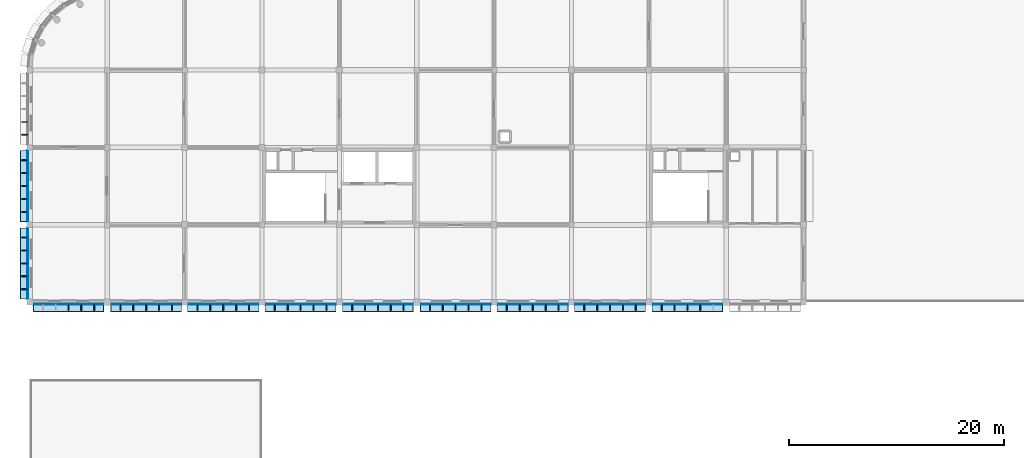
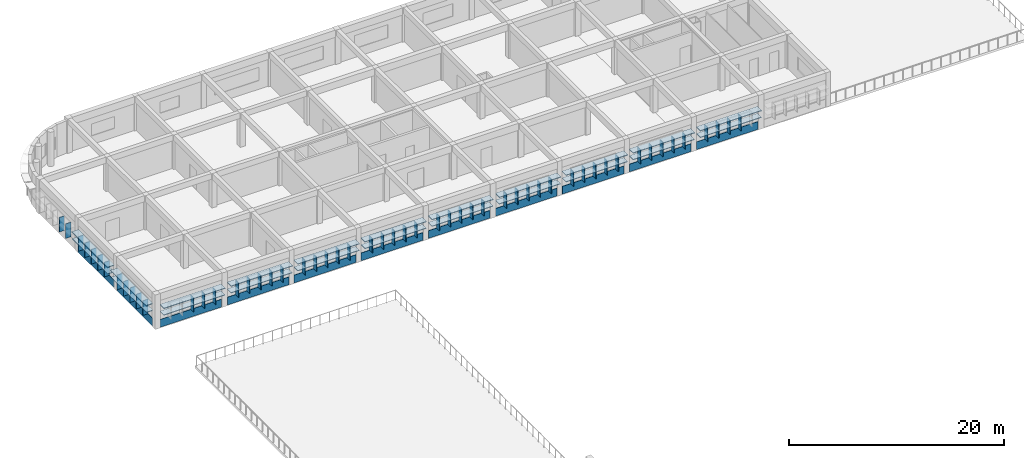
# One storey, part 7 of 22: 87 plates.
"""IFC4 building model written with IfcOpenShell, lengths in metres."""

from ifc_helpers import new_model, si_unit, direction, frame, origin, origin_2d, place, context, subcontext, project, spatial, rectangle, extrude, material, layer, layer_set, type_object, element, save


model = new_model("IFC4")

# Units and contexts
model_context = context("Model", 3, precision=1e-05, world=origin(), true_north=direction((0.0, 1.0)))
body_context = subcontext(model_context, "Body", "Model", "MODEL_VIEW")
ifc_project = project(units=[si_unit("LENGTHUNIT", "METRE"), si_unit("AREAUNIT", "SQUARE_METRE"), si_unit("VOLUMEUNIT", "CUBIC_METRE"), si_unit("PLANEANGLEUNIT", "RADIAN"), si_unit("MASSUNIT", "GRAM", prefix="KILO")], contexts=[model_context])

# Site, building, storey
site_placement = place(None, origin())
site = spatial("IfcSite", under=ifc_project, at=site_placement, CompositionType="ELEMENT")
building_placement = place(site_placement, origin())
building = spatial("IfcBuilding", under=site, at=building_placement, Name="Thalmaran Polytechnic", CompositionType="ELEMENT")
storey_placement = place(building_placement, frame((0.0, 0.0, 22.800048828125)))
storey = spatial("IfcBuildingStorey", under=building, at=storey_placement, Name="L05", CompositionType="ELEMENT", Elevation=22.800048828125)

# Plates
ifc_material_1 = material(Name="Anodised aluminium spandrel band", Category="aluminium")
ifc_layer_1 = layer(ifc_material_1, 0.054931640625, Name="Anodised aluminium spandrel band")
ifc_layer_set_1 = layer_set([ifc_layer_1], Name="Anodised aluminium spandrel band")
plate_type_1 = type_object("IfcPlateType", Name="PT-BD01", PredefinedType="SHEET", material=ifc_layer_set_1)
plate_1_placement = place(storey_placement, frame((-0.195068359375, 97.20751953125, 0.02001953125), z_axis=(0.0, 0.0, 1.0), x_axis=(0.0, 1.0, 0.0)))
element("IfcPlate", 1, at=plate_1_placement, inside=storey, type_object=plate_type_1, Name="Streamline Horizontal Spandrel Band L05-001", PredefinedType="SHEET", context=body_context, shape_type="SweptSolid", body=[
    extrude(rectangle(XDim=6.625, YDim=0.054931640625, at=origin_2d()), origin(), (0.0, 0.0, 1.0), 0.8798828125),
])
plate_2_placement = place(storey_placement, frame((-0.195068359375, 104.405029296875, 0.02001953125), z_axis=(0.0, 0.0, 1.0), x_axis=(0.0, 1.0, 0.0)))
element("IfcPlate", 2, at=plate_2_placement, inside=storey, type_object=plate_type_1, Name="Streamline Horizontal Spandrel Band L05-002", PredefinedType="SHEET", context=body_context, shape_type="SweptSolid", body=[
    extrude(rectangle(XDim=6.64990234375, YDim=0.054931640625, at=origin_2d()), origin(), (0.0, 0.0, 1.0), 0.8798828125),
])
plate_3_placement = place(storey_placement, frame((61.1923828125, 93.405029296875, 0.02001953125), z_axis=(0.0, 0.0, 1.0), x_axis=(-1.0, 0.0, 0.0)))
element("IfcPlate", 3, at=plate_3_placement, inside=storey, type_object=plate_type_1, Name="Streamline Horizontal Spandrel Band L05-026", PredefinedType="SHEET", context=body_context, shape_type="SweptSolid", body=[
    extrude(rectangle(XDim=6.594970703125, YDim=0.054931640625, at=origin_2d()), origin(), (0.0, 0.0, 1.0), 0.8798828125),
])
plate_4_placement = place(storey_placement, frame((53.992431640625, 93.405029296875, 0.02001953125), z_axis=(0.0, 0.0, 1.0), x_axis=(-1.0, 0.0, 0.0)))
element("IfcPlate", 4, at=plate_4_placement, inside=storey, type_object=plate_type_1, Name="Streamline Horizontal Spandrel Band L05-027", PredefinedType="SHEET", context=body_context, shape_type="SweptSolid", body=[
    extrude(rectangle(XDim=6.625, YDim=0.054931640625, at=origin_2d()), origin(), (0.0, 0.0, 1.0), 0.8798828125),
])
plate_5_placement = place(storey_placement, frame((46.794921875, 93.405029296875, 0.02001953125), z_axis=(0.0, 0.0, 1.0), x_axis=(-1.0, 0.0, 0.0)))
element("IfcPlate", 5, at=plate_5_placement, inside=storey, type_object=plate_type_1, Name="Streamline Horizontal Spandrel Band L05-028", PredefinedType="SHEET", context=body_context, shape_type="SweptSolid", body=[
    extrude(rectangle(XDim=6.64990234375, YDim=0.054931640625, at=origin_2d()), origin(), (0.0, 0.0, 1.0), 0.8798828125),
])
plate_6_placement = place(storey_placement, frame((39.6201171875, 93.405029296875, 0.02001953125), z_axis=(0.0, 0.0, 1.0), x_axis=(-1.0, 0.0, 0.0)))
element("IfcPlate", 6, at=plate_6_placement, inside=storey, type_object=plate_type_1, Name="Streamline Horizontal Spandrel Band L05-029", PredefinedType="SHEET", context=body_context, shape_type="SweptSolid", body=[
    extrude(rectangle(XDim=6.6201171875, YDim=0.054931640625, at=origin_2d()), origin(), (0.0, 0.0, 1.0), 0.8798828125),
])
plate_7_placement = place(storey_placement, frame((32.392578125, 93.405029296875, 0.02001953125), z_axis=(0.0, 0.0, 1.0), x_axis=(-1.0, 0.0, 0.0)))
element("IfcPlate", 7, at=plate_7_placement, inside=storey, type_object=plate_type_1, Name="Streamline Horizontal Spandrel Band L05-030", PredefinedType="SHEET", context=body_context, shape_type="SweptSolid", body=[
    extrude(rectangle(XDim=6.594970703125, YDim=0.054931640625, at=origin_2d()), origin(), (0.0, 0.0, 1.0), 0.8798828125),
])
plate_8_placement = place(storey_placement, frame((25.1923828125, 93.405029296875, 0.02001953125), z_axis=(0.0, 0.0, 1.0), x_axis=(-1.0, 0.0, 0.0)))
element("IfcPlate", 8, at=plate_8_placement, inside=storey, type_object=plate_type_1, Name="Streamline Horizontal Spandrel Band L05-031", PredefinedType="SHEET", context=body_context, shape_type="SweptSolid", body=[
    extrude(rectangle(XDim=6.625, YDim=0.054931640625, at=origin_2d()), origin(), (0.0, 0.0, 1.0), 0.8798828125),
])
plate_9_placement = place(storey_placement, frame((17.9951171875, 93.405029296875, 0.02001953125), z_axis=(0.0, 0.0, 1.0), x_axis=(-1.0, 0.0, 0.0)))
element("IfcPlate", 9, at=plate_9_placement, inside=storey, type_object=plate_type_1, Name="Streamline Horizontal Spandrel Band L05-032", PredefinedType="SHEET", context=body_context, shape_type="SweptSolid", body=[
    extrude(rectangle(XDim=6.64990234375, YDim=0.054931640625, at=origin_2d()), origin(), (0.0, 0.0, 1.0), 0.8798828125),
])
plate_10_placement = place(storey_placement, frame((10.820068359375, 93.405029296875, 0.02001953125), z_axis=(0.0, 0.0, 1.0), x_axis=(-1.0, 0.0, 0.0)))
element("IfcPlate", 10, at=plate_10_placement, inside=storey, type_object=plate_type_1, Name="Streamline Horizontal Spandrel Band L05-033", PredefinedType="SHEET", context=body_context, shape_type="SweptSolid", body=[
    extrude(rectangle(XDim=6.6201171875, YDim=0.054931640625, at=origin_2d()), origin(), (0.0, 0.0, 1.0), 0.8798828125),
])
plate_11_placement = place(storey_placement, frame((3.592529296875, 93.405029296875, 0.02001953125), z_axis=(0.0, 0.0, 1.0), x_axis=(-1.0, 0.0, 0.0)))
element("IfcPlate", 11, at=plate_11_placement, inside=storey, type_object=plate_type_1, Name="Streamline Horizontal Spandrel Band L05-034", PredefinedType="SHEET", context=body_context, shape_type="SweptSolid", body=[
    extrude(rectangle(XDim=6.594970703125, YDim=0.054931640625, at=origin_2d()), origin(), (0.0, 0.0, 1.0), 0.8798828125),
])
ifc_material_2 = material(Name="Anodised aluminium sun-hood eyebrow", Category="aluminium")
ifc_layer_2 = layer(ifc_material_2, 0.0849609375, Name="Anodised aluminium sun-hood eyebrow")
ifc_layer_set_2 = layer_set([ifc_layer_2], Name="Anodised aluminium sun-hood eyebrow")
plate_type_2 = type_object("IfcPlateType", Name="PT-EB01", PredefinedType="SHEET", material=ifc_layer_set_2)
plate_12_placement = place(storey_placement, frame((-0.5400390625, 97.20751953125, 2.517578125), z_axis=(0.0, 0.0, 1.0), x_axis=(0.0, 1.0, 0.0)))
element("IfcPlate", 12, at=plate_12_placement, inside=storey, type_object=plate_type_2, Name="Streamline Sun-Hood Eyebrow L05-001", PredefinedType="SHEET", context=body_context, shape_type="SweptSolid", body=[
    extrude(rectangle(XDim=6.625, YDim=0.760009765625, at=origin_2d()), origin(), (0.0, 0.0, 1.0), 0.0849609375),
])
plate_13_placement = place(storey_placement, frame((-0.52001953125, 97.20751953125, 1.74267578125), z_axis=(0.0, 0.0, 1.0), x_axis=(0.0, 1.0, 0.0)))
element("IfcPlate", 13, at=plate_13_placement, inside=storey, type_object=plate_type_2, Name="Abu Dhabi Horizontal Solar Louvre L05-001", PredefinedType="SHEET", context=body_context, shape_type="SweptSolid", body=[
    extrude(rectangle(XDim=6.5849609375, YDim=0.719970703125, at=origin_2d()), origin(), (0.0, 0.0, 1.0), 0.074951171875),
])
plate_14_placement = place(storey_placement, frame((-0.5400390625, 104.405029296875, 2.517578125), z_axis=(0.0, 0.0, 1.0), x_axis=(0.0, 1.0, 0.0)))
element("IfcPlate", 14, at=plate_14_placement, inside=storey, type_object=plate_type_2, Name="Streamline Sun-Hood Eyebrow L05-002", PredefinedType="SHEET", context=body_context, shape_type="SweptSolid", body=[
    extrude(rectangle(XDim=6.64990234375, YDim=0.760009765625, at=origin_2d()), origin(), (0.0, 0.0, 1.0), 0.0849609375),
])
plate_15_placement = place(storey_placement, frame((-0.52001953125, 104.405029296875, 1.74267578125), z_axis=(0.0, 0.0, 1.0), x_axis=(0.0, 1.0, 0.0)))
element("IfcPlate", 15, at=plate_15_placement, inside=storey, type_object=plate_type_2, Name="Abu Dhabi Horizontal Solar Louvre L05-002", PredefinedType="SHEET", context=body_context, shape_type="SweptSolid", body=[
    extrude(rectangle(XDim=6.610107421875, YDim=0.719970703125, at=origin_2d()), origin(), (0.0, 0.0, 1.0), 0.074951171875),
])
plate_16_placement = place(storey_placement, frame((61.1923828125, 93.06005859375, 2.517578125), z_axis=(0.0, 0.0, 1.0), x_axis=(-1.0, 0.0, 0.0)))
element("IfcPlate", 16, at=plate_16_placement, inside=storey, type_object=plate_type_2, Name="Streamline Sun-Hood Eyebrow L05-026", PredefinedType="SHEET", context=body_context, shape_type="SweptSolid", body=[
    extrude(rectangle(XDim=6.594970703125, YDim=0.760009765625, at=origin_2d()), origin(), (0.0, 0.0, 1.0), 0.0849609375),
])
plate_17_placement = place(storey_placement, frame((61.1923828125, 93.080078125, 1.74267578125), z_axis=(0.0, 0.0, 1.0), x_axis=(-1.0, 0.0, 0.0)))
element("IfcPlate", 17, at=plate_17_placement, inside=storey, type_object=plate_type_2, Name="Abu Dhabi Horizontal Solar Louvre L05-026", PredefinedType="SHEET", context=body_context, shape_type="SweptSolid", body=[
    extrude(rectangle(XDim=6.554931640625, YDim=0.719970703125, at=origin_2d()), origin(), (0.0, 0.0, 1.0), 0.074951171875),
])
plate_18_placement = place(storey_placement, frame((53.992431640625, 93.06005859375, 2.517578125), z_axis=(0.0, 0.0, 1.0), x_axis=(-1.0, 0.0, 0.0)))
element("IfcPlate", 18, at=plate_18_placement, inside=storey, type_object=plate_type_2, Name="Streamline Sun-Hood Eyebrow L05-027", PredefinedType="SHEET", context=body_context, shape_type="SweptSolid", body=[
    extrude(rectangle(XDim=6.625, YDim=0.760009765625, at=origin_2d()), origin(), (0.0, 0.0, 1.0), 0.0849609375),
])
plate_19_placement = place(storey_placement, frame((53.992431640625, 93.080078125, 1.74267578125), z_axis=(0.0, 0.0, 1.0), x_axis=(-1.0, 0.0, 0.0)))
element("IfcPlate", 19, at=plate_19_placement, inside=storey, type_object=plate_type_2, Name="Abu Dhabi Horizontal Solar Louvre L05-027", PredefinedType="SHEET", context=body_context, shape_type="SweptSolid", body=[
    extrude(rectangle(XDim=6.5849609375, YDim=0.719970703125, at=origin_2d()), origin(), (0.0, 0.0, 1.0), 0.074951171875),
])
plate_20_placement = place(storey_placement, frame((46.794921875, 93.06005859375, 2.517578125), z_axis=(0.0, 0.0, 1.0), x_axis=(-1.0, 0.0, 0.0)))
element("IfcPlate", 20, at=plate_20_placement, inside=storey, type_object=plate_type_2, Name="Streamline Sun-Hood Eyebrow L05-028", PredefinedType="SHEET", context=body_context, shape_type="SweptSolid", body=[
    extrude(rectangle(XDim=6.64990234375, YDim=0.760009765625, at=origin_2d()), origin(), (0.0, 0.0, 1.0), 0.0849609375),
])
plate_21_placement = place(storey_placement, frame((46.794921875, 93.080078125, 1.74267578125), z_axis=(0.0, 0.0, 1.0), x_axis=(-1.0, 0.0, 0.0)))
element("IfcPlate", 21, at=plate_21_placement, inside=storey, type_object=plate_type_2, Name="Abu Dhabi Horizontal Solar Louvre L05-028", PredefinedType="SHEET", context=body_context, shape_type="SweptSolid", body=[
    extrude(rectangle(XDim=6.610107421875, YDim=0.719970703125, at=origin_2d()), origin(), (0.0, 0.0, 1.0), 0.074951171875),
])
plate_22_placement = place(storey_placement, frame((39.6201171875, 93.06005859375, 2.517578125), z_axis=(0.0, 0.0, 1.0), x_axis=(-1.0, 0.0, 0.0)))
element("IfcPlate", 22, at=plate_22_placement, inside=storey, type_object=plate_type_2, Name="Streamline Sun-Hood Eyebrow L05-029", PredefinedType="SHEET", context=body_context, shape_type="SweptSolid", body=[
    extrude(rectangle(XDim=6.6201171875, YDim=0.760009765625, at=origin_2d()), origin(), (0.0, 0.0, 1.0), 0.0849609375),
])
plate_23_placement = place(storey_placement, frame((39.6201171875, 93.080078125, 1.74267578125), z_axis=(0.0, 0.0, 1.0), x_axis=(-1.0, 0.0, 0.0)))
element("IfcPlate", 23, at=plate_23_placement, inside=storey, type_object=plate_type_2, Name="Abu Dhabi Horizontal Solar Louvre L05-029", PredefinedType="SHEET", context=body_context, shape_type="SweptSolid", body=[
    extrude(rectangle(XDim=6.580078125, YDim=0.719970703125, at=origin_2d()), origin(), (0.0, 0.0, 1.0), 0.074951171875),
])
plate_24_placement = place(storey_placement, frame((32.392578125, 93.06005859375, 2.517578125), z_axis=(0.0, 0.0, 1.0), x_axis=(-1.0, 0.0, 0.0)))
element("IfcPlate", 24, at=plate_24_placement, inside=storey, type_object=plate_type_2, Name="Streamline Sun-Hood Eyebrow L05-030", PredefinedType="SHEET", context=body_context, shape_type="SweptSolid", body=[
    extrude(rectangle(XDim=6.594970703125, YDim=0.760009765625, at=origin_2d()), origin(), (0.0, 0.0, 1.0), 0.0849609375),
])
plate_25_placement = place(storey_placement, frame((32.392578125, 93.080078125, 1.74267578125), z_axis=(0.0, 0.0, 1.0), x_axis=(-1.0, 0.0, 0.0)))
element("IfcPlate", 25, at=plate_25_placement, inside=storey, type_object=plate_type_2, Name="Abu Dhabi Horizontal Solar Louvre L05-030", PredefinedType="SHEET", context=body_context, shape_type="SweptSolid", body=[
    extrude(rectangle(XDim=6.554931640625, YDim=0.719970703125, at=origin_2d()), origin(), (0.0, 0.0, 1.0), 0.074951171875),
])
plate_26_placement = place(storey_placement, frame((25.1923828125, 93.06005859375, 2.517578125), z_axis=(0.0, 0.0, 1.0), x_axis=(-1.0, 0.0, 0.0)))
element("IfcPlate", 26, at=plate_26_placement, inside=storey, type_object=plate_type_2, Name="Streamline Sun-Hood Eyebrow L05-031", PredefinedType="SHEET", context=body_context, shape_type="SweptSolid", body=[
    extrude(rectangle(XDim=6.625, YDim=0.760009765625, at=origin_2d()), origin(), (0.0, 0.0, 1.0), 0.0849609375),
])
plate_27_placement = place(storey_placement, frame((25.1923828125, 93.080078125, 1.74267578125), z_axis=(0.0, 0.0, 1.0), x_axis=(-1.0, 0.0, 0.0)))
element("IfcPlate", 27, at=plate_27_placement, inside=storey, type_object=plate_type_2, Name="Abu Dhabi Horizontal Solar Louvre L05-031", PredefinedType="SHEET", context=body_context, shape_type="SweptSolid", body=[
    extrude(rectangle(XDim=6.5849609375, YDim=0.719970703125, at=origin_2d()), origin(), (0.0, 0.0, 1.0), 0.074951171875),
])
plate_28_placement = place(storey_placement, frame((17.9951171875, 93.06005859375, 2.517578125), z_axis=(0.0, 0.0, 1.0), x_axis=(-1.0, 0.0, 0.0)))
element("IfcPlate", 28, at=plate_28_placement, inside=storey, type_object=plate_type_2, Name="Streamline Sun-Hood Eyebrow L05-032", PredefinedType="SHEET", context=body_context, shape_type="SweptSolid", body=[
    extrude(rectangle(XDim=6.64990234375, YDim=0.760009765625, at=origin_2d()), origin(), (0.0, 0.0, 1.0), 0.0849609375),
])
plate_29_placement = place(storey_placement, frame((17.9951171875, 93.080078125, 1.74267578125), z_axis=(0.0, 0.0, 1.0), x_axis=(-1.0, 0.0, 0.0)))
element("IfcPlate", 29, at=plate_29_placement, inside=storey, type_object=plate_type_2, Name="Abu Dhabi Horizontal Solar Louvre L05-032", PredefinedType="SHEET", context=body_context, shape_type="SweptSolid", body=[
    extrude(rectangle(XDim=6.610107421875, YDim=0.719970703125, at=origin_2d()), origin(), (0.0, 0.0, 1.0), 0.074951171875),
])
plate_30_placement = place(storey_placement, frame((10.820068359375, 93.06005859375, 2.517578125), z_axis=(0.0, 0.0, 1.0), x_axis=(-1.0, 0.0, 0.0)))
element("IfcPlate", 30, at=plate_30_placement, inside=storey, type_object=plate_type_2, Name="Streamline Sun-Hood Eyebrow L05-033", PredefinedType="SHEET", context=body_context, shape_type="SweptSolid", body=[
    extrude(rectangle(XDim=6.6201171875, YDim=0.760009765625, at=origin_2d()), origin(), (0.0, 0.0, 1.0), 0.0849609375),
])
plate_31_placement = place(storey_placement, frame((10.820068359375, 93.080078125, 1.74267578125), z_axis=(0.0, 0.0, 1.0), x_axis=(-1.0, 0.0, 0.0)))
element("IfcPlate", 31, at=plate_31_placement, inside=storey, type_object=plate_type_2, Name="Abu Dhabi Horizontal Solar Louvre L05-033", PredefinedType="SHEET", context=body_context, shape_type="SweptSolid", body=[
    extrude(rectangle(XDim=6.580078125, YDim=0.719970703125, at=origin_2d()), origin(), (0.0, 0.0, 1.0), 0.074951171875),
])
plate_32_placement = place(storey_placement, frame((3.592529296875, 93.06005859375, 2.517578125), z_axis=(0.0, 0.0, 1.0), x_axis=(-1.0, 0.0, 0.0)))
element("IfcPlate", 32, at=plate_32_placement, inside=storey, type_object=plate_type_2, Name="Streamline Sun-Hood Eyebrow L05-034", PredefinedType="SHEET", context=body_context, shape_type="SweptSolid", body=[
    extrude(rectangle(XDim=6.594970703125, YDim=0.760009765625, at=origin_2d()), origin(), (0.0, 0.0, 1.0), 0.0849609375),
])
plate_33_placement = place(storey_placement, frame((3.592529296875, 93.080078125, 1.74267578125), z_axis=(0.0, 0.0, 1.0), x_axis=(-1.0, 0.0, 0.0)))
element("IfcPlate", 33, at=plate_33_placement, inside=storey, type_object=plate_type_2, Name="Abu Dhabi Horizontal Solar Louvre L05-034", PredefinedType="SHEET", context=body_context, shape_type="SweptSolid", body=[
    extrude(rectangle(XDim=6.554931640625, YDim=0.719970703125, at=origin_2d()), origin(), (0.0, 0.0, 1.0), 0.074951171875),
])
ifc_material_3 = material(Name="Anodised bronze brise-soleil fin")
ifc_layer_3 = layer(ifc_material_3, 0.06494140625, Name="Anodised bronze brise-soleil fin")
ifc_layer_set_3 = layer_set([ifc_layer_3], Name="Anodised bronze brise-soleil fin")
plate_type_3 = type_object("IfcPlateType", Name="PT-FN01", PredefinedType="SHEET", material=ifc_layer_set_3)
for number, where, z_axis, x_axis, name in (
    (34, (-0.4599609375, 94.80810546875, 0.89501953125), (0.0, 0.0, 1.0), (0.0, 1.0, 0.0), "Abu Dhabi Solar Brise-Soleil Fin L05-001-1"),
    (35, (-0.4599609375, 96.0078125, 0.89501953125), (0.0, 0.0, 1.0), (0.0, 1.0, 0.0), "Abu Dhabi Solar Brise-Soleil Fin L05-001-2"),
    (36, (-0.4599609375, 97.20751953125, 0.89501953125), (0.0, 0.0, 1.0), (0.0, 1.0, 0.0), "Abu Dhabi Solar Brise-Soleil Fin L05-001-3"),
    (37, (-0.4599609375, 98.4072265625, 0.89501953125), (0.0, 0.0, 1.0), (0.0, 1.0, 0.0), "Abu Dhabi Solar Brise-Soleil Fin L05-001-4"),
    (38, (-0.4599609375, 99.60693359375, 0.89501953125), (0.0, 0.0, 1.0), (0.0, 1.0, 0.0), "Abu Dhabi Solar Brise-Soleil Fin L05-001-5"),
    (39, (-0.4599609375, 101.99658203125, 0.89501953125), (0.0, 0.0, 1.0), (0.0, 1.0, 0.0), "Abu Dhabi Solar Brise-Soleil Fin L05-002-1"),
    (40, (-0.4599609375, 103.20068359375, 0.89501953125), (0.0, 0.0, 1.0), (0.0, 1.0, 0.0), "Abu Dhabi Solar Brise-Soleil Fin L05-002-2"),
    (41, (-0.4599609375, 104.405029296875, 0.89501953125), (0.0, 0.0, 1.0), (0.0, 1.0, 0.0), "Abu Dhabi Solar Brise-Soleil Fin L05-002-3"),
    (42, (-0.4599609375, 105.609130859375, 0.89501953125), (0.0, 0.0, 1.0), (0.0, 1.0, 0.0), "Abu Dhabi Solar Brise-Soleil Fin L05-002-4"),
    (43, (-0.4599609375, 106.8134765625, 0.89501953125), (0.0, 0.0, 1.0), (0.0, 1.0, 0.0), "Abu Dhabi Solar Brise-Soleil Fin L05-002-5"),
    (44, (-0.4599609375, 109.182373046875, 0.89501953125), (0.0, 0.0, 1.0), (0.0, 1.0, 0.0), "Abu Dhabi Solar Brise-Soleil Fin L05-003-1"),
    (45, (-0.4599609375, 110.381103515625, 0.89501953125), (0.0, 0.0, 1.0), (0.0, 1.0, 0.0), "Abu Dhabi Solar Brise-Soleil Fin L05-003-2"),
    (46, (62.38671875, 93.139892578125, 0.89501953125), (0.0, 0.0, 1.0), (-1.0, 0.0, 0.0), "Abu Dhabi Solar Brise-Soleil Fin L05-026-2"),
    (47, (61.1923828125, 93.139892578125, 0.89501953125), (0.0, 0.0, 1.0), (-1.0, 0.0, 0.0), "Abu Dhabi Solar Brise-Soleil Fin L05-026-3"),
    (48, (59.998291015625, 93.139892578125, 0.89501953125), (0.0, 0.0, 1.0), (-1.0, 0.0, 0.0), "Abu Dhabi Solar Brise-Soleil Fin L05-026-4"),
    (49, (58.803955078125, 93.139892578125, 0.89501953125), (0.0, 0.0, 1.0), (-1.0, 0.0, 0.0), "Abu Dhabi Solar Brise-Soleil Fin L05-026-5"),
    (50, (56.391845703125, 93.139892578125, 0.89501953125), (0.0, 0.0, 1.0), (-1.0, 0.0, 0.0), "Abu Dhabi Solar Brise-Soleil Fin L05-027-1"),
    (51, (55.192138671875, 93.139892578125, 0.89501953125), (0.0, 0.0, 1.0), (-1.0, 0.0, 0.0), "Abu Dhabi Solar Brise-Soleil Fin L05-027-2"),
    (52, (53.992431640625, 93.139892578125, 0.89501953125), (0.0, 0.0, 1.0), (-1.0, 0.0, 0.0), "Abu Dhabi Solar Brise-Soleil Fin L05-027-3"),
    (53, (52.792724609375, 93.139892578125, 0.89501953125), (0.0, 0.0, 1.0), (-1.0, 0.0, 0.0), "Abu Dhabi Solar Brise-Soleil Fin L05-027-4"),
    (54, (51.593017578125, 93.139892578125, 0.89501953125), (0.0, 0.0, 1.0), (-1.0, 0.0, 0.0), "Abu Dhabi Solar Brise-Soleil Fin L05-027-5"),
    (55, (49.203369140625, 93.139892578125, 0.89501953125), (0.0, 0.0, 1.0), (-1.0, 0.0, 0.0), "Abu Dhabi Solar Brise-Soleil Fin L05-028-1"),
    (56, (47.999267578125, 93.139892578125, 0.89501953125), (0.0, 0.0, 1.0), (-1.0, 0.0, 0.0), "Abu Dhabi Solar Brise-Soleil Fin L05-028-2"),
    (57, (46.794921875, 93.139892578125, 0.89501953125), (0.0, 0.0, 1.0), (-1.0, 0.0, 0.0), "Abu Dhabi Solar Brise-Soleil Fin L05-028-3"),
    (58, (45.5908203125, 93.139892578125, 0.89501953125), (0.0, 0.0, 1.0), (-1.0, 0.0, 0.0), "Abu Dhabi Solar Brise-Soleil Fin L05-028-4"),
    (59, (44.38671875, 93.139892578125, 0.89501953125), (0.0, 0.0, 1.0), (-1.0, 0.0, 0.0), "Abu Dhabi Solar Brise-Soleil Fin L05-028-5"),
    (60, (42.017578125, 93.139892578125, 0.89501953125), (0.0, 0.0, 1.0), (-1.0, 0.0, 0.0), "Abu Dhabi Solar Brise-Soleil Fin L05-029-1"),
    (61, (40.81884765625, 93.139892578125, 0.89501953125), (0.0, 0.0, 1.0), (-1.0, 0.0, 0.0), "Abu Dhabi Solar Brise-Soleil Fin L05-029-2"),
    (62, (39.6201171875, 93.139892578125, 0.89501953125), (0.0, 0.0, 1.0), (-1.0, 0.0, 0.0), "Abu Dhabi Solar Brise-Soleil Fin L05-029-3"),
    (63, (38.421142578125, 93.139892578125, 0.89501953125), (0.0, 0.0, 1.0), (-1.0, 0.0, 0.0), "Abu Dhabi Solar Brise-Soleil Fin L05-029-4"),
    (64, (37.222412109375, 93.139892578125, 0.89501953125), (0.0, 0.0, 1.0), (-1.0, 0.0, 0.0), "Abu Dhabi Solar Brise-Soleil Fin L05-029-5"),
    (65, (34.781005859375, 93.139892578125, 0.89501953125), (0.0, 0.0, 1.0), (-1.0, 0.0, 0.0), "Abu Dhabi Solar Brise-Soleil Fin L05-030-1"),
    (66, (33.5869140625, 93.139892578125, 0.89501953125), (0.0, 0.0, 1.0), (-1.0, 0.0, 0.0), "Abu Dhabi Solar Brise-Soleil Fin L05-030-2"),
    (67, (32.392578125, 93.139892578125, 0.89501953125), (0.0, 0.0, 1.0), (-1.0, 0.0, 0.0), "Abu Dhabi Solar Brise-Soleil Fin L05-030-3"),
    (68, (31.1982421875, 93.139892578125, 0.89501953125), (0.0, 0.0, 1.0), (-1.0, 0.0, 0.0), "Abu Dhabi Solar Brise-Soleil Fin L05-030-4"),
    (69, (30.00390625, 93.139892578125, 0.89501953125), (0.0, 0.0, 1.0), (-1.0, 0.0, 0.0), "Abu Dhabi Solar Brise-Soleil Fin L05-030-5"),
    (70, (27.591796875, 93.139892578125, 0.89501953125), (0.0, 0.0, 1.0), (-1.0, 0.0, 0.0), "Abu Dhabi Solar Brise-Soleil Fin L05-031-1"),
    (71, (26.39208984375, 93.139892578125, 0.89501953125), (0.0, 0.0, 1.0), (-1.0, 0.0, 0.0), "Abu Dhabi Solar Brise-Soleil Fin L05-031-2"),
    (72, (25.1923828125, 93.139892578125, 0.89501953125), (0.0, 0.0, 1.0), (-1.0, 0.0, 0.0), "Abu Dhabi Solar Brise-Soleil Fin L05-031-3"),
    (73, (23.992919921875, 93.139892578125, 0.89501953125), (0.0, 0.0, 1.0), (-1.0, 0.0, 0.0), "Abu Dhabi Solar Brise-Soleil Fin L05-031-4"),
    (74, (22.793212890625, 93.139892578125, 0.89501953125), (0.0, 0.0, 1.0), (-1.0, 0.0, 0.0), "Abu Dhabi Solar Brise-Soleil Fin L05-031-5"),
    (75, (20.4033203125, 93.139892578125, 0.89501953125), (0.0, 0.0, 1.0), (-1.0, 0.0, 0.0), "Abu Dhabi Solar Brise-Soleil Fin L05-032-1"),
    (76, (19.19921875, 93.139892578125, 0.89501953125), (0.0, 0.0, 1.0), (-1.0, 0.0, 0.0), "Abu Dhabi Solar Brise-Soleil Fin L05-032-2"),
    (77, (17.9951171875, 93.139892578125, 0.89501953125), (0.0, 0.0, 1.0), (-1.0, 0.0, 0.0), "Abu Dhabi Solar Brise-Soleil Fin L05-032-3"),
    (78, (16.790771484375, 93.139892578125, 0.89501953125), (0.0, 0.0, 1.0), (-1.0, 0.0, 0.0), "Abu Dhabi Solar Brise-Soleil Fin L05-032-4"),
    (79, (15.586669921875, 93.139892578125, 0.89501953125), (0.0, 0.0, 1.0), (-1.0, 0.0, 0.0), "Abu Dhabi Solar Brise-Soleil Fin L05-032-5"),
    (80, (13.217529296875, 93.139892578125, 0.89501953125), (0.0, 0.0, 1.0), (-1.0, 0.0, 0.0), "Abu Dhabi Solar Brise-Soleil Fin L05-033-1"),
    (81, (12.018798828125, 93.139892578125, 0.89501953125), (0.0, 0.0, 1.0), (-1.0, 0.0, 0.0), "Abu Dhabi Solar Brise-Soleil Fin L05-033-2"),
    (82, (10.820068359375, 93.139892578125, 0.89501953125), (0.0, 0.0, 1.0), (-1.0, 0.0, 0.0), "Abu Dhabi Solar Brise-Soleil Fin L05-033-3"),
    (83, (9.62109375, 93.139892578125, 0.89501953125), (0.0, 0.0, 1.0), (-1.0, 0.0, 0.0), "Abu Dhabi Solar Brise-Soleil Fin L05-033-4"),
    (84, (8.42236328125, 93.139892578125, 0.89501953125), (0.0, 0.0, 1.0), (-1.0, 0.0, 0.0), "Abu Dhabi Solar Brise-Soleil Fin L05-033-5"),
    (85, (5.981201171875, 93.139892578125, 0.89501953125), (0.0, 0.0, 1.0), (-1.0, 0.0, 0.0), "Abu Dhabi Solar Brise-Soleil Fin L05-034-1"),
    (86, (4.786865234375, 93.139892578125, 0.89501953125), (0.0, 0.0, 1.0), (-1.0, 0.0, 0.0), "Abu Dhabi Solar Brise-Soleil Fin L05-034-2"),
    (87, (3.592529296875, 93.139892578125, 0.89501953125), (0.0, 0.0, 1.0), (-1.0, 0.0, 0.0), "Abu Dhabi Solar Brise-Soleil Fin L05-034-3"),
):
    element("IfcPlate", number, at=place(storey_placement, frame(where, z_axis=z_axis, x_axis=x_axis)), inside=storey, type_object=plate_type_3, Name=name, PredefinedType="SHEET", context=body_context, shape_type="SweptSolid", body=[
        extrude(rectangle(XDim=0.06494140625, YDim=0.56005859375, at=origin_2d()), origin(), (0.0, 0.0, 1.0), 1.64990234375),
    ])

save(model, "model.ifc")
